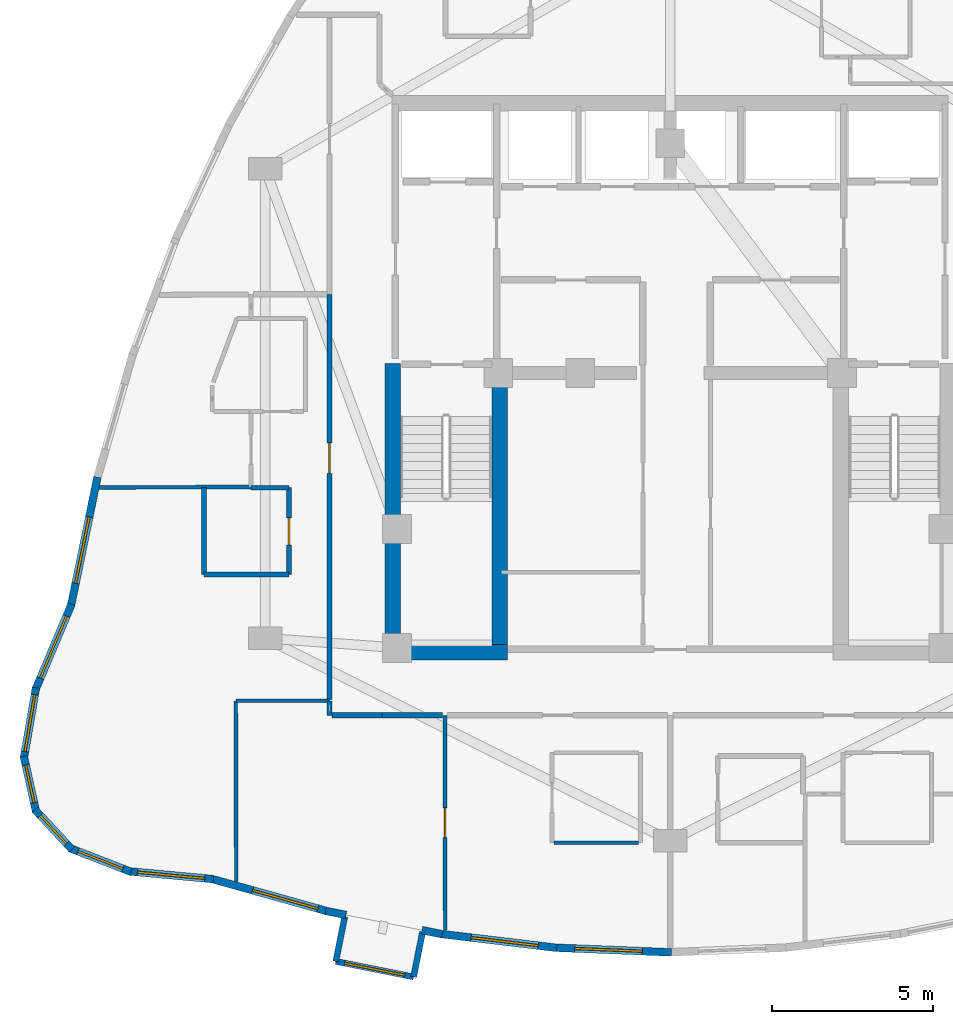
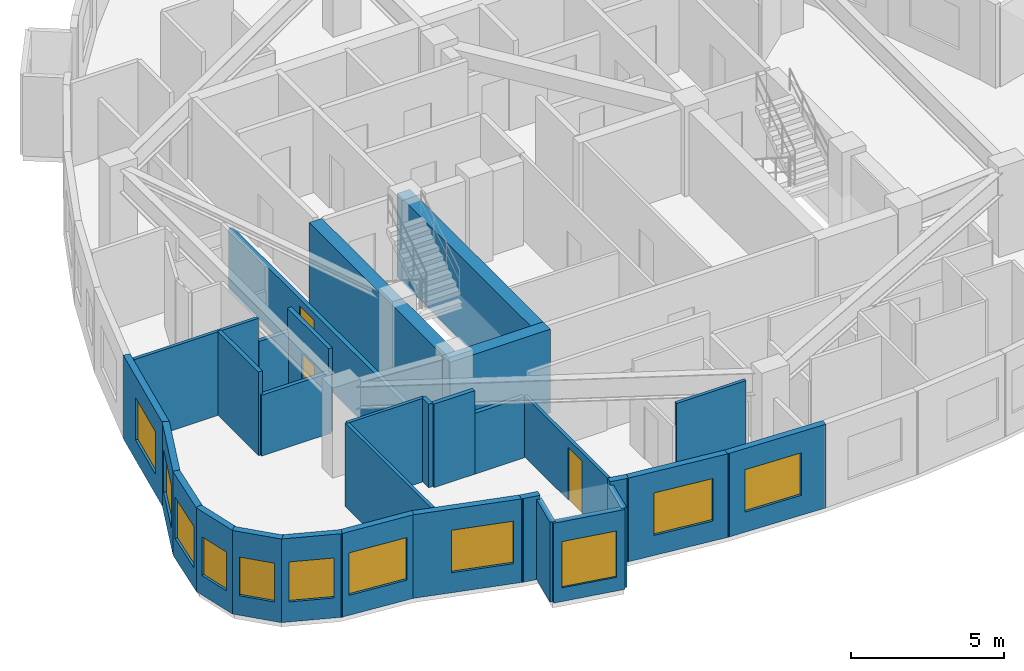
# One storey, part 7 of 13: 31 walls, 11 windows, 3 doors, 14 openings.
"""IFC4 building model written with IfcOpenShell, lengths in metres."""

from ifc_helpers import new_model, si_unit, direction, frame, frame_2d, origin, place, context, subcontext, project, spatial, rectangle, extrude, material, layer, layer_set, type_object, element, fill, save


model = new_model("IFC4")

# Units and contexts
model_context = context("Model", 3, precision=1e-05, world=origin(), true_north=direction((0.0, 1.0)))
body_context = subcontext(model_context, "Body", "Model", "MODEL_VIEW")
ifc_project = project(units=[si_unit("LENGTHUNIT", "METRE"), si_unit("AREAUNIT", "SQUARE_METRE"), si_unit("VOLUMEUNIT", "CUBIC_METRE"), si_unit("PLANEANGLEUNIT", "RADIAN"), si_unit("MASSUNIT", "GRAM", prefix="KILO")], contexts=[model_context])

# Site, building, storey
site_placement = place(None, origin())
site = spatial("IfcSite", under=ifc_project, at=site_placement, CompositionType="ELEMENT")
building_placement = place(site_placement, origin())
building = spatial("IfcBuilding", under=site, at=building_placement, Name="Miruveldt Soraemaru", CompositionType="ELEMENT")
storey_placement = place(building_placement, frame((0.0, 0.0, 205.199951171875)))
storey = spatial("IfcBuildingStorey", under=building, at=storey_placement, Name="L56", CompositionType="ELEMENT", Elevation=205.199951171875)

# Walls
ifc_material_1 = material(Name="White powder-coated aluminium EN AW-6060 T6", Category="aluminium")
ifc_layer_1 = layer(ifc_material_1, 0.18994140625, Name="White powder-coated aluminium EN AW-6060 T6", Category="aluminium")
ifc_layer_set_1 = layer_set([ifc_layer_1], Name="White powder-coated aluminium EN AW-6060 T6")
wall_type_1 = type_object("IfcWallType", Name="WALL-BAY-ALU190", PredefinedType="SOLIDWALL", material=ifc_layer_set_1)
for number, where, z_axis, x_axis, name in (
    (1, (33.871337890625, 27.138671875, 0.0), (0.0, 0.0, 1.0), (-0.196149079112, -0.980574086321, 0.0), "L56 Bay Window Side Cheek 2L"),
    (2, (36.014892578125, 25.256591796875, 0.0), (0.0, 0.0, 1.0), (0.195984352603, 0.980607022989, 0.0), "L56 Bay Window Side Cheek 2R"),
):
    element("IfcWall", number, at=place(storey_placement, frame(where, z_axis=z_axis, x_axis=x_axis)), inside=storey, type_object=wall_type_1, Name=name, PredefinedType="SOLIDWALL", context=body_context, shape_type="SweptSolid", body=[
        extrude(rectangle(XDim=1.425048828125, YDim=0.18994140625, at=frame_2d((0.71240234375, 0.0))), origin(), (0.0, 0.0, 1.0), 3.195068359375),
    ])

# Wall, opening, window
wall_1_placement = place(storey_placement, frame((33.591796875, 25.7412109375, 0.0), z_axis=(0.0, 0.0, 1.0), x_axis=(0.980580675691, -0.196116135138, 0.0)))
wall_1 = element("IfcWall", 3, at=wall_1_placement, inside=storey, type_object=wall_type_1, Name="L56 Bay Window Front Frame 2", PredefinedType="SOLIDWALL", context=body_context, shape_type="SweptSolid", body=[
    extrude(rectangle(XDim=2.47119140625, YDim=0.18994140625, at=frame_2d((1.235595703125, 0.0))), origin(), (0.0, 0.0, 1.0), 3.195068359375),
])
opening_1_placement = place(wall_1_placement, frame((0.284912109375, 0.0, 0.550048828125)))
opening_1 = element("IfcOpeningElement", 4, at=opening_1_placement, cuts=wall_1, Name="Opening WN-6", PredefinedType="OPENING", context=body_context, shape_type="SweptSolid", body=[
    extrude(rectangle(XDim=1.89990234375, YDim=1.85009765625, at=frame_2d((0.949951171875, 0.925048828125))), frame((0.0, 0.10498046875, 0.0), z_axis=(0.0, -1.0, 0.0), x_axis=(1.0, 0.0, 0.0)), (0.0, 0.0, 1.0), 0.2099609375),
])
ifc_material_2 = material(Name="Triple low-e insulated glazing", Category="glass")
window_type_1 = type_object("IfcWindowType", Name="WIN-BAYW-1900x1850", PartitioningType="SINGLE_PANEL", PredefinedType="WINDOW", material=ifc_material_2)
window_1_placement = place(opening_1_placement, origin())
window_1 = element("IfcWindow", 5, at=window_1_placement, inside=storey, type_object=window_type_1, Name="L56 Projecting Bay Window 2", OverallHeight=1.85009765625, OverallWidth=1.89990234375, PartitioningType="SINGLE_PANEL", PredefinedType="WINDOW", context=body_context, shape_type="SweptSolid", body=[
    extrude(rectangle(XDim=1.89990234375, YDim=1.85009765625, at=frame_2d((0.949951171875, 0.925048828125))), frame((0.0, 0.030029296875, 0.0), z_axis=(0.0, -1.0, 0.0), x_axis=(1.0, 0.0, 0.0)), (0.0, 0.0, 1.0), 0.06005859375),
])
fill(opening_1, window_1)

# Walls
ifc_material_3 = material(Name="Concrete C60/75 (60 MPa)", Category="concrete")
ifc_layer_2 = layer(ifc_material_3, 0.47998046875, Name="Concrete C60/75 (60 MPa)", Category="concrete")
ifc_layer_set_2 = layer_set([ifc_layer_2], Name="Concrete C60/75 (60 MPa)")
wall_type_2 = type_object("IfcWallType", Name="WALL-CW-480", PredefinedType="SHEAR", material=ifc_layer_set_2)
wall_2_placement = place(storey_placement, frame((35.1201171875, 35.360107421875, 0.0), z_axis=(0.0, 0.0, 1.0), x_axis=(1.0, 0.0, 0.0)))
element("IfcWall", 6, at=wall_2_placement, inside=storey, type_object=wall_type_2, Name="L56 Central Core Shear Wall S1", PredefinedType="SHEAR", context=body_context, shape_type="SweptSolid", body=[
    extrude(rectangle(XDim=3.809814453125, YDim=0.47998046875, at=frame_2d((1.90478515625, 0.0))), origin(), (0.0, 0.0, 1.0), 3.344970703125),
])
wall_3_placement = place(storey_placement, frame((35.360107421875, 35.1201171875, 0.0), z_axis=(0.0, 0.0, 1.0), x_axis=(0.0, 1.0, 0.0)))
element("IfcWall", 7, at=wall_3_placement, inside=storey, type_object=wall_type_2, Name="L56 Central Core Shear Wall W1", PredefinedType="SHEAR", context=body_context, shape_type="SweptSolid", body=[
    extrude(rectangle(XDim=9.22998046875, YDim=0.47998046875, at=frame_2d((4.614990234375, 0.0))), origin(), (0.0, 0.0, 1.0), 3.344970703125),
])
wall_4_placement = place(storey_placement, frame((38.68994140625, 35.39990234375, 0.0), z_axis=(0.0, 0.0, 1.0), x_axis=(0.0, 1.0, 0.0)))
element("IfcWall", 8, at=wall_4_placement, inside=storey, type_object=wall_type_2, Name="L56 Central Core Shear Wall SW-INT", PredefinedType="SHEAR", context=body_context, shape_type="SweptSolid", body=[
    extrude(rectangle(XDim=8.9501953125, YDim=0.47998046875, at=frame_2d((4.47509765625, 0.0))), origin(), (0.0, 0.0, 1.0), 3.344970703125),
])

# Wall, opening, window
ifc_material_4 = material(Name="Precast concrete C45/55 (45 MPa)", Category="concrete")
ifc_layer_3 = layer(ifc_material_4, 0.239990234375, Name="Precast concrete C45/55 (45 MPa)", Category="concrete")
ifc_layer_set_3 = layer_set([ifc_layer_3], Name="Precast concrete C45/55 (45 MPa)")
wall_type_3 = type_object("IfcWallType", Name="WALL-EXT-PC240", PredefinedType="SOLIDWALL", material=ifc_layer_set_3)
wall_5_placement = place(storey_placement, frame((26.177490234375, 40.814697265625, 0.0), z_axis=(0.0, 0.0, 1.0), x_axis=(-0.2015657063, -0.979474995109, 0.0)))
wall_5 = element("IfcWall", 9, at=wall_5_placement, inside=storey, type_object=wall_type_3, Name="L56 Precast Concrete Facade Wall 14", PredefinedType="SOLIDWALL", context=body_context, shape_type="SweptSolid", body=[
    extrude(rectangle(XDim=4.107177734375, YDim=0.239990234375, at=frame_2d((2.0537109375, 0.0))), origin(), (0.0, 0.0, 1.0), 3.344970703125),
])
opening_2_placement = place(wall_5_placement, frame((1.27490234375, 0.0, 0.800048828125)))
opening_2 = element("IfcOpeningElement", 10, at=opening_2_placement, cuts=wall_5, Name="Opening WN-1", PredefinedType="OPENING", context=body_context, shape_type="SweptSolid", body=[
    extrude(rectangle(XDim=2.10009765625, YDim=1.699951171875, at=frame_2d((1.050048828125, 0.85009765625))), frame((0.0, 0.1298828125, 0.0), z_axis=(0.0, -1.0, 0.0), x_axis=(1.0, 0.0, 0.0)), (0.0, 0.0, 1.0), 0.260009765625),
])
window_type_2 = type_object("IfcWindowType", Name="WIN-PUNCH-2100x1700", PartitioningType="SINGLE_PANEL", PredefinedType="WINDOW", material=ifc_material_2)
window_2_placement = place(opening_2_placement, origin())
window_2 = element("IfcWindow", 11, at=window_2_placement, inside=storey, type_object=window_type_2, Name="L56 Punched Triple-Glazed Window 14.1", OverallHeight=1.699951171875, OverallWidth=2.10009765625, PartitioningType="SINGLE_PANEL", PredefinedType="WINDOW", context=body_context, shape_type="SweptSolid", body=[
    extrude(rectangle(XDim=2.10009765625, YDim=1.699951171875, at=frame_2d((1.050048828125, 0.85009765625))), frame((0.0, 0.030029296875, 0.0), z_axis=(0.0, -1.0, 0.0), x_axis=(1.0, 0.0, 0.0)), (0.0, 0.0, 1.0), 0.06005859375),
])
fill(opening_2, window_2)

wall_6_placement = place(storey_placement, frame((25.370361328125, 36.858154296875, 0.0), z_axis=(0.0, 0.0, 1.0), x_axis=(-0.38865241966, -0.921384445654, 0.0)))
wall_6 = element("IfcWall", 12, at=wall_6_placement, inside=storey, type_object=wall_type_3, Name="L56 Precast Concrete Facade Wall 15", PredefinedType="SOLIDWALL", context=body_context, shape_type="SweptSolid", body=[
    extrude(rectangle(XDim=2.895751953125, YDim=0.239990234375, at=frame_2d((1.44775390625, 0.0))), origin(), (0.0, 0.0, 1.0), 3.344970703125),
])
opening_3_placement = place(wall_6_placement, frame((0.39794921875, 0.0, 0.800048828125)))
opening_3 = element("IfcOpeningElement", 13, at=opening_3_placement, cuts=wall_6, Name="Opening WN-1", PredefinedType="OPENING", context=body_context, shape_type="SweptSolid", body=[
    extrude(rectangle(XDim=2.10009765625, YDim=1.699951171875, at=frame_2d((1.050048828125, 0.85009765625))), frame((0.0, 0.1298828125, 0.0), z_axis=(0.0, -1.0, 0.0), x_axis=(1.0, 0.0, 0.0)), (0.0, 0.0, 1.0), 0.260009765625),
])
window_3_placement = place(opening_3_placement, origin())
window_3 = element("IfcWindow", 14, at=window_3_placement, inside=storey, type_object=window_type_2, Name="L56 Punched Triple-Glazed Window 15.1", OverallHeight=1.699951171875, OverallWidth=2.10009765625, PartitioningType="SINGLE_PANEL", PredefinedType="WINDOW", context=body_context, shape_type="SweptSolid", body=[
    extrude(rectangle(XDim=2.10009765625, YDim=1.699951171875, at=frame_2d((1.050048828125, 0.85009765625))), frame((0.0, 0.030029296875, 0.0), z_axis=(0.0, -1.0, 0.0), x_axis=(1.0, 0.0, 0.0)), (0.0, 0.0, 1.0), 0.06005859375),
])
fill(opening_3, window_3)

wall_7_placement = place(storey_placement, frame((24.264404296875, 34.256591796875, 0.0), z_axis=(0.0, 0.0, 1.0), x_axis=(-0.169346387862, -0.985556594477, 0.0)))
wall_7 = element("IfcWall", 15, at=wall_7_placement, inside=storey, type_object=wall_type_3, Name="L56 Precast Concrete Facade Wall 16", PredefinedType="SOLIDWALL", context=body_context, shape_type="SweptSolid", body=[
    extrude(rectangle(XDim=2.231689453125, YDim=0.239990234375, at=frame_2d((1.11572265625, 0.0))), origin(), (0.0, 0.0, 1.0), 3.344970703125),
])
opening_4_placement = place(wall_7_placement, frame((0.216064453125, 0.0, 0.800048828125)))
opening_4 = element("IfcOpeningElement", 16, at=opening_4_placement, cuts=wall_7, Name="Opening WN-2", PredefinedType="OPENING", context=body_context, shape_type="SweptSolid", body=[
    extrude(rectangle(XDim=1.800048828125, YDim=1.64990234375, at=frame_2d((0.89990234375, 0.824951171875))), frame((0.0, 0.1298828125, 0.0), z_axis=(0.0, -1.0, 0.0), x_axis=(1.0, 0.0, 0.0)), (0.0, 0.0, 1.0), 0.260009765625),
])
window_type_3 = type_object("IfcWindowType", Name="WIN-PUNCH-1800x1650", PartitioningType="SINGLE_PANEL", PredefinedType="WINDOW", material=ifc_material_2)
window_4_placement = place(opening_4_placement, origin())
window_4 = element("IfcWindow", 17, at=window_4_placement, inside=storey, type_object=window_type_3, Name="L56 Punched Triple-Glazed Window 16.1", OverallHeight=1.64990234375, OverallWidth=1.800048828125, PartitioningType="SINGLE_PANEL", PredefinedType="WINDOW", context=body_context, shape_type="SweptSolid", body=[
    extrude(rectangle(XDim=1.800048828125, YDim=1.64990234375, at=frame_2d((0.89990234375, 0.824951171875))), frame((0.0, 0.030029296875, 0.0), z_axis=(0.0, -1.0, 0.0), x_axis=(1.0, 0.0, 0.0)), (0.0, 0.0, 1.0), 0.06005859375),
])
fill(opening_4, window_4)

wall_8_placement = place(storey_placement, frame((23.884765625, 32.125732421875, 0.0), z_axis=(0.0, 0.0, 1.0), x_axis=(0.215818470806, -0.976433503962, 0.0)))
wall_8 = element("IfcWall", 18, at=wall_8_placement, inside=storey, type_object=wall_type_3, Name="L56 Precast Concrete Facade Wall 17", PredefinedType="SOLIDWALL", context=body_context, shape_type="SweptSolid", body=[
    extrude(rectangle(XDim=1.76708984375, YDim=0.239990234375, at=frame_2d((0.883544921875, 0.0))), origin(), (0.0, 0.0, 1.0), 3.344970703125),
])
opening_5_placement = place(wall_8_placement, frame((0.282958984375, 0.0, 0.780029296875)))
opening_5 = element("IfcOpeningElement", 19, at=opening_5_placement, cuts=wall_8, Name="Opening WN-4", PredefinedType="OPENING", context=body_context, shape_type="SweptSolid", body=[
    extrude(rectangle(XDim=1.199951171875, YDim=1.550048828125, at=frame_2d((0.60009765625, 0.77490234375))), frame((0.0, 0.1298828125, 0.0), z_axis=(0.0, -1.0, 0.0), x_axis=(1.0, 0.0, 0.0)), (0.0, 0.0, 1.0), 0.260009765625),
])
window_type_4 = type_object("IfcWindowType", Name="WIN-PUNCH-1200x1550", PartitioningType="SINGLE_PANEL", PredefinedType="WINDOW", material=ifc_material_2)
window_5_placement = place(opening_5_placement, origin())
window_5 = element("IfcWindow", 20, at=window_5_placement, inside=storey, type_object=window_type_4, Name="L56 Punched Triple-Glazed Window 17.1", OverallHeight=1.550048828125, OverallWidth=1.199951171875, PartitioningType="SINGLE_PANEL", PredefinedType="WINDOW", context=body_context, shape_type="SweptSolid", body=[
    extrude(rectangle(XDim=1.199951171875, YDim=1.550048828125, at=frame_2d((0.60009765625, 0.77490234375))), frame((0.0, 0.030029296875, 0.0), z_axis=(0.0, -1.0, 0.0), x_axis=(1.0, 0.0, 0.0)), (0.0, 0.0, 1.0), 0.06005859375),
])
fill(opening_5, window_5)

wall_9_placement = place(storey_placement, frame((24.234619140625, 30.460205078125, 0.0), z_axis=(0.0, 0.0, 1.0), x_axis=(0.680167597327, -0.733056641431, 0.0)))
wall_9 = element("IfcWall", 21, at=wall_9_placement, inside=storey, type_object=wall_type_3, Name="L56 Precast Concrete Facade Wall 18", PredefinedType="SOLIDWALL", context=body_context, shape_type="SweptSolid", body=[
    extrude(rectangle(XDim=1.684814453125, YDim=0.239990234375, at=frame_2d((0.84228515625, 0.0))), origin(), (0.0, 0.0, 1.0), 3.344970703125),
])
opening_6_placement = place(wall_9_placement, frame((0.241943359375, 0.0, 0.780029296875)))
opening_6 = element("IfcOpeningElement", 22, at=opening_6_placement, cuts=wall_9, Name="Opening WN-4", PredefinedType="OPENING", context=body_context, shape_type="SweptSolid", body=[
    extrude(rectangle(XDim=1.199951171875, YDim=1.550048828125, at=frame_2d((0.60009765625, 0.77490234375))), frame((0.0, 0.1298828125, 0.0), z_axis=(0.0, -1.0, 0.0), x_axis=(1.0, 0.0, 0.0)), (0.0, 0.0, 1.0), 0.260009765625),
])
window_6_placement = place(opening_6_placement, origin())
window_6 = element("IfcWindow", 23, at=window_6_placement, inside=storey, type_object=window_type_4, Name="L56 Punched Triple-Glazed Window 18.1", OverallHeight=1.550048828125, OverallWidth=1.199951171875, PartitioningType="SINGLE_PANEL", PredefinedType="WINDOW", context=body_context, shape_type="SweptSolid", body=[
    extrude(rectangle(XDim=1.199951171875, YDim=1.550048828125, at=frame_2d((0.60009765625, 0.77490234375))), frame((0.0, 0.030029296875, 0.0), z_axis=(0.0, -1.0, 0.0), x_axis=(1.0, 0.0, 0.0)), (0.0, 0.0, 1.0), 0.06005859375),
])
fill(opening_6, window_6)

wall_10_placement = place(storey_placement, frame((25.32421875, 29.263671875, 0.0), z_axis=(0.0, 0.0, 1.0), x_axis=(0.932261326856, -0.361785597349, 0.0)))
wall_10 = element("IfcWall", 24, at=wall_10_placement, inside=storey, type_object=wall_type_3, Name="L56 Precast Concrete Facade Wall 19", PredefinedType="SOLIDWALL", context=body_context, shape_type="SweptSolid", body=[
    extrude(rectangle(XDim=2.033203125, YDim=0.239990234375, at=frame_2d((1.0166015625, 0.0))), origin(), (0.0, 0.0, 1.0), 3.344970703125),
])
opening_7_placement = place(wall_10_placement, frame((0.26611328125, 0.0, 0.800048828125)))
opening_7 = element("IfcOpeningElement", 25, at=opening_7_placement, cuts=wall_10, Name="Opening WN-3", PredefinedType="OPENING", context=body_context, shape_type="SweptSolid", body=[
    extrude(rectangle(XDim=1.5, YDim=1.60009765625, at=frame_2d((0.75, 0.800048828125))), frame((0.0, 0.1298828125, 0.0), z_axis=(0.0, -1.0, 0.0), x_axis=(1.0, 0.0, 0.0)), (0.0, 0.0, 1.0), 0.260009765625),
])
window_type_5 = type_object("IfcWindowType", Name="WIN-PUNCH-1500x1600", PartitioningType="SINGLE_PANEL", PredefinedType="WINDOW", material=ifc_material_2)
window_7_placement = place(opening_7_placement, origin())
window_7 = element("IfcWindow", 26, at=window_7_placement, inside=storey, type_object=window_type_5, Name="L56 Punched Triple-Glazed Window 19.1", OverallHeight=1.60009765625, OverallWidth=1.5, PartitioningType="SINGLE_PANEL", PredefinedType="WINDOW", context=body_context, shape_type="SweptSolid", body=[
    extrude(rectangle(XDim=1.5, YDim=1.60009765625, at=frame_2d((0.75, 0.800048828125))), frame((0.0, 0.030029296875, 0.0), z_axis=(0.0, -1.0, 0.0), x_axis=(1.0, 0.0, 0.0)), (0.0, 0.0, 1.0), 0.06005859375),
])
fill(opening_7, window_7)

wall_11_placement = place(storey_placement, frame((27.15234375, 28.5439453125, 0.0), z_axis=(0.0, 0.0, 1.0), x_axis=(0.995760434539, -0.091984547654, 0.0)))
wall_11 = element("IfcWall", 27, at=wall_11_placement, inside=storey, type_object=wall_type_3, Name="L56 Precast Concrete Facade Wall 20", PredefinedType="SOLIDWALL", context=body_context, shape_type="SweptSolid", body=[
    extrude(rectangle(XDim=2.6435546875, YDim=0.239990234375, at=frame_2d((1.32177734375, 0.0))), origin(), (0.0, 0.0, 1.0), 3.344970703125),
])
opening_8_placement = place(wall_11_placement, frame((0.27197265625, 0.0, 0.800048828125)))
opening_8 = element("IfcOpeningElement", 28, at=opening_8_placement, cuts=wall_11, Name="Opening WN-1", PredefinedType="OPENING", context=body_context, shape_type="SweptSolid", body=[
    extrude(rectangle(XDim=2.10009765625, YDim=1.699951171875, at=frame_2d((1.050048828125, 0.85009765625))), frame((0.0, 0.1298828125, 0.0), z_axis=(0.0, -1.0, 0.0), x_axis=(1.0, 0.0, 0.0)), (0.0, 0.0, 1.0), 0.260009765625),
])
window_8_placement = place(opening_8_placement, origin())
window_8 = element("IfcWindow", 29, at=window_8_placement, inside=storey, type_object=window_type_2, Name="L56 Punched Triple-Glazed Window 20.1", OverallHeight=1.699951171875, OverallWidth=2.10009765625, PartitioningType="SINGLE_PANEL", PredefinedType="WINDOW", context=body_context, shape_type="SweptSolid", body=[
    extrude(rectangle(XDim=2.10009765625, YDim=1.699951171875, at=frame_2d((1.050048828125, 0.85009765625))), frame((0.0, 0.030029296875, 0.0), z_axis=(0.0, -1.0, 0.0), x_axis=(1.0, 0.0, 0.0)), (0.0, 0.0, 1.0), 0.06005859375),
])
fill(opening_8, window_8)

wall_12_placement = place(storey_placement, frame((29.716064453125, 28.3134765625, 0.0), z_axis=(0.0, 0.0, 1.0), x_axis=(0.962964692372, -0.26962752316, 0.0)))
wall_12 = element("IfcWall", 30, at=wall_12_placement, inside=storey, type_object=wall_type_3, Name="L56 Precast Concrete Facade Wall 21", PredefinedType="SOLIDWALL", context=body_context, shape_type="SweptSolid", body=[
    extrude(rectangle(XDim=3.76953125, YDim=0.239990234375, at=frame_2d((1.884765625, 0.0))), origin(), (0.0, 0.0, 1.0), 3.344970703125),
])
opening_9_placement = place(wall_12_placement, frame((1.341064453125, 0.0, 0.800048828125)))
opening_9 = element("IfcOpeningElement", 31, at=opening_9_placement, cuts=wall_12, Name="Opening WN-1", PredefinedType="OPENING", context=body_context, shape_type="SweptSolid", body=[
    extrude(rectangle(XDim=2.10009765625, YDim=1.699951171875, at=frame_2d((1.050048828125, 0.85009765625))), frame((0.0, 0.1298828125, 0.0), z_axis=(0.0, -1.0, 0.0), x_axis=(1.0, 0.0, 0.0)), (0.0, 0.0, 1.0), 0.260009765625),
])
window_9_placement = place(opening_9_placement, origin())
window_9 = element("IfcWindow", 32, at=window_9_placement, inside=storey, type_object=window_type_2, Name="L56 Punched Triple-Glazed Window 21.1", OverallHeight=1.699951171875, OverallWidth=2.10009765625, PartitioningType="SINGLE_PANEL", PredefinedType="WINDOW", context=body_context, shape_type="SweptSolid", body=[
    extrude(rectangle(XDim=2.10009765625, YDim=1.699951171875, at=frame_2d((1.050048828125, 0.85009765625))), frame((0.0, 0.030029296875, 0.0), z_axis=(0.0, -1.0, 0.0), x_axis=(1.0, 0.0, 0.0)), (0.0, 0.0, 1.0), 0.06005859375),
])
fill(opening_9, window_9)

# Walls
wall_13_placement = place(storey_placement, frame((33.278076171875, 27.3134765625, 0.0), z_axis=(0.0, 0.0, 1.0), x_axis=(0.980507945873, -0.19647943424, 0.0)))
element("IfcWall", 33, at=wall_13_placement, inside=storey, type_object=wall_type_3, Name="L56 Precast Pier Wall 22A", PredefinedType="SOLIDWALL", context=body_context, shape_type="SweptSolid", body=[
    extrude(rectangle(XDim=0.646240234375, YDim=0.239990234375, at=frame_2d((0.3232421875, 0.0))), origin(), (0.0, 0.0, 1.0), 3.344970703125),
])
wall_14_placement = place(storey_placement, frame((36.275634765625, 26.7138671875, 0.0), z_axis=(0.0, 0.0, 1.0), x_axis=(0.980580675691, -0.196116135138, 0.0)))
element("IfcWall", 34, at=wall_14_placement, inside=storey, type_object=wall_type_3, Name="L56 Precast Pier Wall 22B", PredefinedType="SOLIDWALL", context=body_context, shape_type="SweptSolid", body=[
    extrude(rectangle(XDim=0.64599609375, YDim=0.239990234375, at=frame_2d((0.322998046875, 0.0))), origin(), (0.0, 0.0, 1.0), 3.344970703125),
])

# Wall, opening, window
wall_15_placement = place(storey_placement, frame((36.840087890625, 26.59814453125, 0.0), z_axis=(0.0, 0.0, 1.0), x_axis=(0.992878733164, -0.119129430577, 0.0)))
wall_15 = element("IfcWall", 35, at=wall_15_placement, inside=storey, type_object=wall_type_3, Name="L56 Precast Concrete Facade Wall 23", PredefinedType="SOLIDWALL", context=body_context, shape_type="SweptSolid", body=[
    extrude(rectangle(XDim=3.658203125, YDim=0.239990234375, at=frame_2d((1.8291015625, 0.0))), origin(), (0.0, 0.0, 1.0), 3.344970703125),
])
opening_10_placement = place(wall_15_placement, frame((0.970947265625, 0.0, 0.800048828125)))
opening_10 = element("IfcOpeningElement", 36, at=opening_10_placement, cuts=wall_15, Name="Opening WN-1", PredefinedType="OPENING", context=body_context, shape_type="SweptSolid", body=[
    extrude(rectangle(XDim=2.10009765625, YDim=1.699951171875, at=frame_2d((1.050048828125, 0.85009765625))), frame((0.0, 0.1298828125, 0.0), z_axis=(0.0, -1.0, 0.0), x_axis=(1.0, 0.0, 0.0)), (0.0, 0.0, 1.0), 0.260009765625),
])
window_10_placement = place(opening_10_placement, origin())
window_10 = element("IfcWindow", 37, at=window_10_placement, inside=storey, type_object=window_type_2, Name="L56 Punched Triple-Glazed Window 23.1", OverallHeight=1.699951171875, OverallWidth=2.10009765625, PartitioningType="SINGLE_PANEL", PredefinedType="WINDOW", context=body_context, shape_type="SweptSolid", body=[
    extrude(rectangle(XDim=2.10009765625, YDim=1.699951171875, at=frame_2d((1.050048828125, 0.85009765625))), frame((0.0, 0.030029296875, 0.0), z_axis=(0.0, -1.0, 0.0), x_axis=(1.0, 0.0, 0.0)), (0.0, 0.0, 1.0), 0.06005859375),
])
fill(opening_10, window_10)

wall_16_placement = place(storey_placement, frame((40.40234375, 26.16796875, 0.0), z_axis=(0.0, 0.0, 1.0), x_axis=(0.999201387771, -0.039957310688, 0.0)))
wall_16 = element("IfcWall", 38, at=wall_16_placement, inside=storey, type_object=wall_type_3, Name="L56 Precast Concrete Facade Wall 24", PredefinedType="SOLIDWALL", context=body_context, shape_type="SweptSolid", body=[
    extrude(rectangle(XDim=3.635498046875, YDim=0.239990234375, at=frame_2d((1.81787109375, 0.0))), origin(), (0.0, 0.0, 1.0), 3.344970703125),
])
opening_11_placement = place(wall_16_placement, frame((0.626953125, 0.0, 0.800048828125)))
opening_11 = element("IfcOpeningElement", 39, at=opening_11_placement, cuts=wall_16, Name="Opening WN-1", PredefinedType="OPENING", context=body_context, shape_type="SweptSolid", body=[
    extrude(rectangle(XDim=2.10009765625, YDim=1.699951171875, at=frame_2d((1.050048828125, 0.85009765625))), frame((0.0, 0.1298828125, 0.0), z_axis=(0.0, -1.0, 0.0), x_axis=(1.0, 0.0, 0.0)), (0.0, 0.0, 1.0), 0.260009765625),
])
window_11_placement = place(opening_11_placement, origin())
window_11 = element("IfcWindow", 40, at=window_11_placement, inside=storey, type_object=window_type_2, Name="L56 Punched Triple-Glazed Window 24.1", OverallHeight=1.699951171875, OverallWidth=2.10009765625, PartitioningType="SINGLE_PANEL", PredefinedType="WINDOW", context=body_context, shape_type="SweptSolid", body=[
    extrude(rectangle(XDim=2.10009765625, YDim=1.699951171875, at=frame_2d((1.050048828125, 0.85009765625))), frame((0.0, 0.030029296875, 0.0), z_axis=(0.0, -1.0, 0.0), x_axis=(1.0, 0.0, 0.0)), (0.0, 0.0, 1.0), 0.06005859375),
])
fill(opening_11, window_11)

# Wall, opening, door
ifc_material_5 = material(Name="Gypsum plasterboard lining", Category="gypsum")
ifc_layer_4 = layer(ifc_material_5, 0.1201171875, Name="Gypsum plasterboard lining", Category="gypsum")
ifc_layer_set_4 = layer_set([ifc_layer_4], Name="Gypsum plasterboard lining")
wall_type_4 = type_object("IfcWallType", Name="WALL-INT-P120", PredefinedType="PARTITIONING", material=ifc_layer_set_4)
wall_17_placement = place(storey_placement, frame((36.990966796875, 33.39990234375, 0.0), z_axis=(0.0, 0.0, 1.0), x_axis=(0.001059127999, -0.999999439124, 0.0)))
wall_17 = element("IfcWall", 41, at=wall_17_placement, inside=storey, type_object=wall_type_4, Name="L56 Partition Wall 30", PredefinedType="PARTITIONING", context=body_context, shape_type="SweptSolid", body=[
    extrude(rectangle(XDim=6.684814453125, YDim=0.1201171875, at=frame_2d((3.34228515625, 0.0))), origin(), (0.0, 0.0, 1.0), 2.43310546875),
])
opening_12_placement = place(wall_17_placement, frame((2.883056640625, 0.0, 0.0)))
opening_12 = element("IfcOpeningElement", 42, at=opening_12_placement, cuts=wall_17, Name="Opening D3A", PredefinedType="OPENING", context=body_context, shape_type="SweptSolid", body=[
    extrude(rectangle(XDim=0.919921875, YDim=2.10009765625, at=frame_2d((0.4599609375, 1.050048828125))), frame((0.0, 0.070068359375, 0.0), z_axis=(0.0, -1.0, 0.0), x_axis=(1.0, 0.0, 0.0)), (0.0, 0.0, 1.0), 0.14013671875),
])
ifc_material_6 = material(Name="Anodised aluminium EN AW-6063 T6", Category="aluminium")
door_type_1 = type_object("IfcDoorType", Name="DOOR-INT-920", OperationType="NOTDEFINED", PredefinedType="DOOR", material=ifc_material_6)
door_1_placement = place(opening_12_placement, origin())
door_1 = element("IfcDoor", 43, at=door_1_placement, inside=storey, type_object=door_type_1, Name="L56 Unit 5602 BD2 Door", OperationType="SINGLE_SWING_LEFT", OverallHeight=2.10009765625, OverallWidth=0.919921875, PredefinedType="DOOR", context=body_context, shape_type="SweptSolid", body=[
    extrude(rectangle(XDim=0.919921875, YDim=2.10009765625, at=frame_2d((0.4599609375, 1.050048828125))), frame((0.0, 0.02490234375, 0.0), z_axis=(0.0, -1.0, 0.0), x_axis=(1.0, 0.0, 0.0)), (0.0, 0.0, 1.0), 0.050048828125),
])
fill(opening_12, door_1)

# Walls
wall_18_placement = place(storey_placement, frame((30.4970703125, 28.235107421875, 0.0), z_axis=(0.0, 0.0, 1.0), x_axis=(-0.002694822223, 0.99999636896, 0.0)))
element("IfcWall", 44, at=wall_18_placement, inside=storey, type_object=wall_type_4, Name="L56 Partition Wall 60", PredefinedType="PARTITIONING", context=body_context, shape_type="SweptSolid", body=[
    extrude(rectangle(XDim=5.616943359375, YDim=0.1201171875, at=frame_2d((2.80859375, 0.0))), origin(), (0.0, 0.0, 1.0), 3.344970703125),
])
wall_19_placement = place(storey_placement, frame((30.949951171875, 40.501953125, 0.0), z_axis=(0.0, 0.0, 1.0), x_axis=(-0.999997269097, -0.002337048928, 0.0)))
element("IfcWall", 45, at=wall_19_placement, inside=storey, type_object=wall_type_4, Name="L56 Partition Wall 63", PredefinedType="PARTITIONING", context=body_context, shape_type="SweptSolid", body=[
    extrude(rectangle(XDim=4.700927734375, YDim=0.1201171875, at=frame_2d((2.3505859375, 0.0))), origin(), (0.0, 0.0, 1.0), 3.344970703125),
])
wall_20_placement = place(storey_placement, frame((30.48193359375, 33.85205078125, 0.0), z_axis=(0.0, 0.0, 1.0), x_axis=(1.0, 0.0, 0.0)))
element("IfcWall", 46, at=wall_20_placement, inside=storey, type_object=wall_type_4, Name="L56 Partition Wall 61", PredefinedType="PARTITIONING", context=body_context, shape_type="SweptSolid", body=[
    extrude(rectangle(XDim=2.91796875, YDim=0.1201171875, at=frame_2d((1.458984375, 0.0))), origin(), (0.0, 0.0, 1.0), 3.344970703125),
])
wall_21_placement = place(storey_placement, frame((40.382080078125, 29.43603515625, 0.0), z_axis=(0.0, 0.0, 1.0), x_axis=(1.0, 0.0, 0.0)))
element("IfcWall", 47, at=wall_21_placement, inside=storey, type_object=wall_type_4, Name="L56 Partition Wall 29", PredefinedType="PARTITIONING", context=body_context, shape_type="SweptSolid", body=[
    extrude(rectangle(XDim=2.6298828125, YDim=0.1201171875, at=frame_2d((1.31494140625, 0.0))), origin(), (0.0, 0.0, 1.0), 3.344970703125),
])

# Wall, opening, door
ifc_layer_5 = layer(ifc_material_5, 0.14990234375, Name="Gypsum plasterboard lining", Category="gypsum")
ifc_layer_set_5 = layer_set([ifc_layer_5], Name="Gypsum plasterboard lining")
wall_type_5 = type_object("IfcWallType", Name="WALL-INT-PLUMB", PredefinedType="PLUMBINGWALL", material=ifc_layer_set_5)
wall_22_placement = place(storey_placement, frame((32.138916015625, 37.781982421875, 0.0), z_axis=(0.0, 0.0, 1.0), x_axis=(0.0, 1.0, 0.0)))
wall_22 = element("IfcWall", 48, at=wall_22_placement, inside=storey, type_object=wall_type_5, Name="L56 Partition Wall 32", PredefinedType="PLUMBINGWALL", context=body_context, shape_type="SweptSolid", body=[
    extrude(rectangle(XDim=2.699951171875, YDim=0.14990234375, at=frame_2d((1.35009765625, 0.0))), origin(), (0.0, 0.0, 1.0), 3.344970703125),
])
opening_13_placement = place(wall_22_placement, frame((0.909912109375, 0.0, 0.0)))
opening_13 = element("IfcOpeningElement", 49, at=opening_13_placement, cuts=wall_22, Name="Opening FD3", PredefinedType="OPENING", context=body_context, shape_type="SweptSolid", body=[
    extrude(rectangle(XDim=0.85009765625, YDim=2.10009765625, at=frame_2d((0.425048828125, 1.050048828125))), frame((0.0, 0.0849609375, 0.0), z_axis=(0.0, -1.0, 0.0), x_axis=(1.0, 0.0, 0.0)), (0.0, 0.0, 1.0), 0.169921875),
])
door_type_2 = type_object("IfcDoorType", Name="DOOR-FD3-850", OperationType="NOTDEFINED", PredefinedType="DOOR", material=ifc_material_6)
door_2_placement = place(opening_13_placement, origin())
door_2 = element("IfcDoor", 50, at=door_2_placement, inside=storey, type_object=door_type_2, Name="L56 Unit 5603 BTH Door", OperationType="SINGLE_SWING_LEFT", OverallHeight=2.10009765625, OverallWidth=0.85009765625, PredefinedType="DOOR", context=body_context, shape_type="SweptSolid", body=[
    extrude(rectangle(XDim=0.85009765625, YDim=2.10009765625, at=frame_2d((0.425048828125, 1.050048828125))), frame((0.0, 0.02490234375, 0.0), z_axis=(0.0, -1.0, 0.0), x_axis=(1.0, 0.0, 0.0)), (0.0, 0.0, 1.0), 0.050048828125),
])
fill(opening_13, door_2)

# Walls
wall_23_placement = place(storey_placement, frame((29.489013671875, 40.48193359375, 0.0), z_axis=(0.0, 0.0, 1.0), x_axis=(0.0, -1.0, 0.0)))
element("IfcWall", 51, at=wall_23_placement, inside=storey, type_object=wall_type_5, Name="L56 Partition Wall 34", PredefinedType="PLUMBINGWALL", context=body_context, shape_type="SweptSolid", body=[
    extrude(rectangle(XDim=2.699951171875, YDim=0.14990234375, at=frame_2d((1.35009765625, 0.0))), origin(), (0.0, 0.0, 1.0), 3.344970703125),
])
wall_24_placement = place(storey_placement, frame((32.138916015625, 40.48193359375, 0.0), z_axis=(0.0, 0.0, 1.0), x_axis=(-1.0, 0.0, 0.0)))
element("IfcWall", 52, at=wall_24_placement, inside=storey, type_object=wall_type_5, Name="L56 Partition Wall 33", PredefinedType="PLUMBINGWALL", context=body_context, shape_type="SweptSolid", body=[
    extrude(rectangle(XDim=1.18896484375, YDim=0.14990234375, at=frame_2d((0.594482421875, 0.0))), origin(), (0.0, 0.0, 1.0), 2.43310546875),
])
wall_25_placement = place(storey_placement, frame((29.489013671875, 37.781982421875, 0.0), z_axis=(0.0, 0.0, 1.0), x_axis=(1.0, 0.0, 0.0)))
element("IfcWall", 53, at=wall_25_placement, inside=storey, type_object=wall_type_5, Name="L56 Partition Wall 35", PredefinedType="PLUMBINGWALL", context=body_context, shape_type="SweptSolid", body=[
    extrude(rectangle(XDim=2.64990234375, YDim=0.14990234375, at=frame_2d((1.324951171875, 0.0))), origin(), (0.0, 0.0, 1.0), 2.43310546875),
])

# Wall, opening, door
ifc_material_7 = material(Name="Concrete C40/50 (40 MPa)", Category="concrete")
ifc_layer_6 = layer(ifc_material_7, 0.159912109375, Name="Concrete C40/50 (40 MPa)", Category="concrete")
ifc_layer_set_6 = layer_set([ifc_layer_6], Name="Concrete C40/50 (40 MPa)")
wall_type_6 = type_object("IfcWallType", Name="WALL-INT-RC160", PredefinedType="SOLIDWALL", material=ifc_layer_set_6)
wall_26_placement = place(storey_placement, frame((33.39990234375, 46.5, 0.0), z_axis=(0.0, 0.0, 1.0), x_axis=(0.0, -1.0, 0.0)))
wall_26 = element("IfcWall", 54, at=wall_26_placement, inside=storey, type_object=wall_type_6, Name="L56 Partition Wall 8", PredefinedType="SOLIDWALL", context=body_context, shape_type="SweptSolid", body=[
    extrude(rectangle(XDim=12.60302734375, YDim=0.159912109375, at=frame_2d((6.301513671875, 0.0))), origin(), (0.0, 0.0, 1.0), 2.43310546875),
])
opening_14_placement = place(wall_26_placement, frame((4.6240234375, 0.0, 0.0)))
opening_14 = element("IfcOpeningElement", 55, at=opening_14_placement, cuts=wall_26, Name="Opening FD2", PredefinedType="OPENING", context=body_context, shape_type="SweptSolid", body=[
    extrude(rectangle(XDim=0.949951171875, YDim=2.14990234375, at=frame_2d((0.47509765625, 1.074951171875))), frame((0.0, 0.08984375, 0.0), z_axis=(0.0, -1.0, 0.0), x_axis=(1.0, 0.0, 0.0)), (0.0, 0.0, 1.0), 0.179931640625),
])
door_type_3 = type_object("IfcDoorType", Name="DOOR-FD2-950", OperationType="NOTDEFINED", PredefinedType="DOOR", material=ifc_material_6)
door_3_placement = place(opening_14_placement, origin())
door_3 = element("IfcDoor", 56, at=door_3_placement, inside=storey, type_object=door_type_3, Name="L56 Unit 5603 Entrance Fire Door", OperationType="SINGLE_SWING_RIGHT", OverallHeight=2.14990234375, OverallWidth=0.949951171875, PredefinedType="DOOR", context=body_context, shape_type="SweptSolid", body=[
    extrude(rectangle(XDim=0.949951171875, YDim=2.14990234375, at=frame_2d((0.47509765625, 1.074951171875))), frame((0.0, 0.02490234375, 0.0), z_axis=(0.0, -1.0, 0.0), x_axis=(1.0, 0.0, 0.0)), (0.0, 0.0, 1.0), 0.050048828125),
])
fill(opening_14, door_3)

# Walls
wall_27_placement = place(storey_placement, frame((35.030029296875, 33.39990234375, 0.0), z_axis=(0.0, 0.0, 1.0), x_axis=(1.0, 0.0, 0.0)))
element("IfcWall", 57, at=wall_27_placement, inside=storey, type_object=wall_type_6, Name="L56 Partition Wall 7", PredefinedType="SOLIDWALL", context=body_context, shape_type="SweptSolid", body=[
    extrude(rectangle(XDim=1.880859375, YDim=0.159912109375, at=frame_2d((0.9404296875, 0.0))), origin(), (0.0, 0.0, 1.0), 2.43310546875),
])
wall_28_placement = place(storey_placement, frame((33.47998046875, 33.39990234375, 0.0), z_axis=(0.0, 0.0, 1.0), x_axis=(1.0, 0.0, 0.0)))
element("IfcWall", 58, at=wall_28_placement, inside=storey, type_object=wall_type_6, Name="L56 Partition Wall 6", PredefinedType="SOLIDWALL", context=body_context, shape_type="SweptSolid", body=[
    extrude(rectangle(XDim=1.550048828125, YDim=0.159912109375, at=frame_2d((0.77490234375, 0.0))), origin(), (0.0, 0.0, 1.0), 3.344970703125),
])
wall_29_placement = place(storey_placement, frame((33.39990234375, 33.85205078125, 0.0), z_axis=(0.0, 0.0, 1.0), x_axis=(0.0, -1.0, 0.0)))
element("IfcWall", 59, at=wall_29_placement, inside=storey, type_object=wall_type_6, Name="L56 Partition Wall 5", PredefinedType="SOLIDWALL", context=body_context, shape_type="SweptSolid", body=[
    extrude(rectangle(XDim=0.4521484375, YDim=0.159912109375, at=frame_2d((0.22607421875, 0.0))), origin(), (0.0, 0.0, 1.0), 3.344970703125),
])

save(model, "model.ifc")
